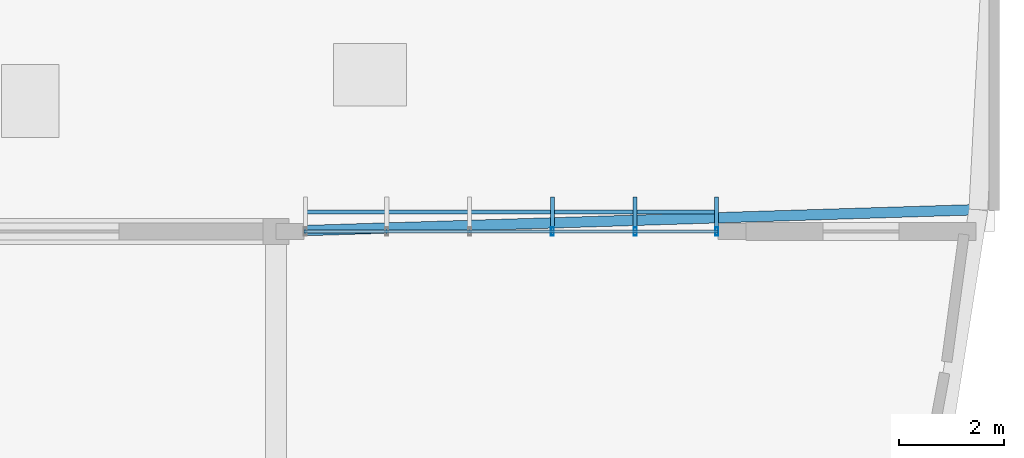
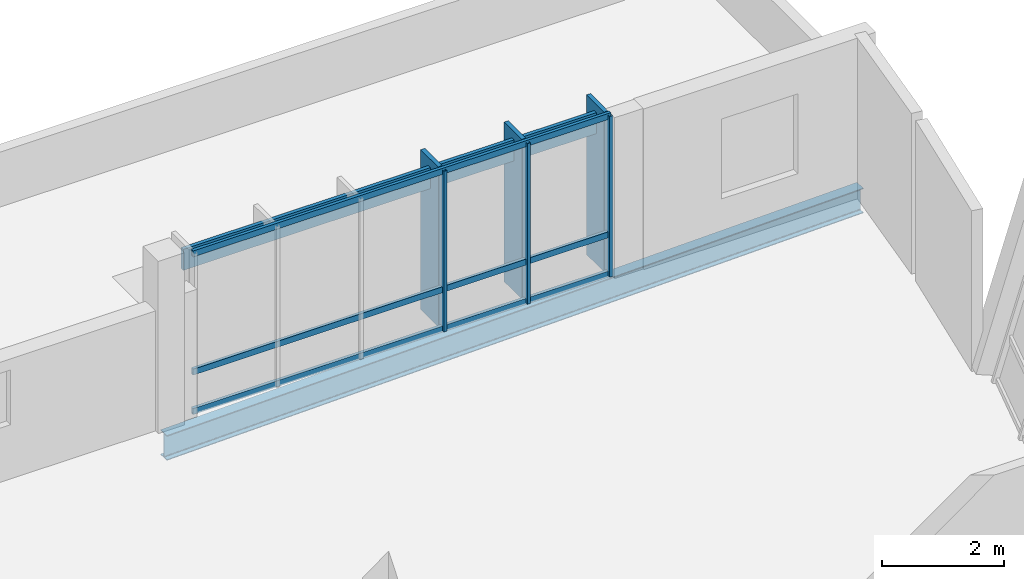
# One storey, part 16 of 24: 10 members, 1 beam, 1 element without a shape of its own.
"""IFC4 building model written with IfcOpenShell, lengths in metres."""

from ifc_helpers import new_model, si_unit, direction, frame, origin, origin_2d, place, context, subcontext, project, spatial, rectangle, hollow_rectangle, i_section, extrude, material, material_profile, profile_set, type_object, element, aggregate, save


model = new_model("IFC4")

# Units and contexts
model_context = context("Model", 3, precision=1e-05, world=origin(), true_north=direction((0.0, 1.0)))
body_context = subcontext(model_context, "Body", "Model", "MODEL_VIEW")
ifc_project = project(units=[si_unit("LENGTHUNIT", "METRE"), si_unit("AREAUNIT", "SQUARE_METRE"), si_unit("VOLUMEUNIT", "CUBIC_METRE"), si_unit("PLANEANGLEUNIT", "RADIAN"), si_unit("MASSUNIT", "GRAM", prefix="KILO")], contexts=[model_context])

# Site, building, storey
site_placement = place(None, origin())
site = spatial("IfcSite", under=ifc_project, at=site_placement, CompositionType="ELEMENT")
building_placement = place(site_placement, origin())
building = spatial("IfcBuilding", under=site, at=building_placement, Name="Chiffa Square Polytechnic", CompositionType="ELEMENT")
storey_placement = place(building_placement, frame((0.0, 0.0, 26.39990234375)))
storey = spatial("IfcBuildingStorey", under=building, at=storey_placement, Name="L06", CompositionType="ELEMENT", Elevation=26.39990234375)

# Beam
ifc_material_1 = material(Name="Steel S355", Category="steel")
ifc_material_profile_1 = material_profile(ifc_material_1, i_section(OverallWidth=0.199951171875, OverallDepth=0.5, WebThickness=0.01025390625, FlangeThickness=0.01611328125, FilletRadius=0.02099609375, at=origin_2d()), Name="IPE 500")
ifc_profile_set_1 = profile_set([ifc_material_profile_1], Name="Steel S355")
beam_type = type_object("IfcBeamType", Name="BM-STL-IPE500", PredefinedType="BEAM", material=ifc_profile_set_1)
beam_placement = place(storey_placement, frame((179.64306640625, 51.41796875, -0.469970703125), z_axis=(-0.999517004534, -0.031076641515, 0.0), x_axis=(0.031076641515, -0.999517004534, 0.0)))
element("IfcBeam", 1, at=beam_placement, inside=storey, type_object=beam_type, Name="Prow radial tie girder BM-V1-RAD-L06-17", PredefinedType="BEAM", context=body_context, shape_type="SweptSolid", body=[
    extrude(i_section(OverallWidth=0.199951171875, OverallDepth=0.5, WebThickness=0.01025390625, FlangeThickness=0.01611328125, FilletRadius=0.02099609375, at=origin_2d()), origin(), (0.0, 0.0, 1.0), 13.44970703125),
])

# Curtain wall, members
ifc_material_2 = material(Name="Aluminium EN AW-6060 T66 and glulam shading", Category="wood")
curtain_wall_type = type_object("IfcCurtainWallType", Name="CW-VERT-480X380", PredefinedType="USERDEFINED", material=ifc_material_2)
curtain_wall_placement = place(storey_placement, origin())
curtain_wall = element("IfcCurtainWall", 2, at=curtain_wall_placement, inside=storey, type_object=curtain_wall_type, Name="Curtain wall CW-V1-L06-142", ObjectType="CURTAIN WALL", PredefinedType="USERDEFINED")
ifc_material_3 = material(Name="Aluminium EN AW-6060 T66", Category="aluminium")
ifc_material_profile_2 = material_profile(ifc_material_3, hollow_rectangle(XDim=0.06005859375, YDim=0.159912109375, WallThickness=0.00390625, at=origin_2d()), Name="ALU 60x160x4")
ifc_profile_set_2 = profile_set([ifc_material_profile_2], Name="Aluminium EN AW-6060 T66")
member_type_1 = type_object("IfcMemberType", Name="CWM-ALU-65X150", PredefinedType="MULLION", material=ifc_profile_set_2)
member_1_placement = place(storey_placement, frame((174.635009765625, 51.0, 0.0), z_axis=(0.0, 0.0, 1.0), x_axis=(1.0, 0.0, 0.0)))
member_1 = element("IfcMember", 3, at=member_1_placement, type_object=member_type_1, Name="Curtain wall mullion CW-V1-L06-142-M00", PredefinedType="MULLION", context=body_context, shape_type="SweptSolid", body=[
    extrude(hollow_rectangle(XDim=0.06005859375, YDim=0.159912109375, WallThickness=0.00390625, at=origin_2d()), origin(), (0.0, 0.0, 1.0), 3.22021484375),
])
member_2_placement = place(storey_placement, frame((173.075927734375, 51.0, 0.0), z_axis=(0.0, 0.0, 1.0), x_axis=(1.0, 0.0, 0.0)))
member_2 = element("IfcMember", 4, at=member_2_placement, type_object=member_type_1, Name="Curtain wall mullion CW-V1-L06-142-M01", PredefinedType="MULLION", context=body_context, shape_type="SweptSolid", body=[
    extrude(hollow_rectangle(XDim=0.06005859375, YDim=0.159912109375, WallThickness=0.00390625, at=origin_2d()), origin(), (0.0, 0.0, 1.0), 3.22021484375),
])
member_3_placement = place(storey_placement, frame((171.491943359375, 51.0, 0.0), z_axis=(0.0, 0.0, 1.0), x_axis=(1.0, 0.0, 0.0)))
member_3 = element("IfcMember", 5, at=member_3_placement, type_object=member_type_1, Name="Curtain wall mullion CW-V1-L06-142-M02", PredefinedType="MULLION", context=body_context, shape_type="SweptSolid", body=[
    extrude(hollow_rectangle(XDim=0.06005859375, YDim=0.159912109375, WallThickness=0.00390625, at=origin_2d()), origin(), (0.0, 0.0, 1.0), 3.22021484375),
])
ifc_material_4 = material(Name="Glulam GL28h", Category="wood")
ifc_material_profile_3 = material_profile(ifc_material_4, rectangle(XDim=0.080078125, YDim=0.580078125, at=origin_2d()), Name="GL28h 80x580")
ifc_profile_set_3 = profile_set([ifc_material_profile_3], Name="Glulam GL28h")
member_type_2 = type_object("IfcMemberType", Name="CWM-GL-80X580", PredefinedType="MULLION", material=ifc_profile_set_3)
member_4_placement = place(storey_placement, frame((174.635009765625, 51.3720703125, 0.010009765625), z_axis=(0.0, 0.0, 1.0), x_axis=(-1.0, 0.0, 0.0)))
member_4 = element("IfcMember", 6, at=member_4_placement, type_object=member_type_2, Name="Exterior glulam solar fin CW-V1-L06-142-FN00", PredefinedType="MULLION", context=body_context, shape_type="SweptSolid", body=[
    extrude(rectangle(XDim=0.080078125, YDim=0.580078125, at=origin_2d()), origin(), (0.0, 0.0, 1.0), 3.2001953125),
])
member_5_placement = place(storey_placement, frame((173.075927734375, 51.3720703125, 0.010009765625), z_axis=(0.0, 0.0, 1.0), x_axis=(-1.0, 0.0, 0.0)))
member_5 = element("IfcMember", 7, at=member_5_placement, type_object=member_type_2, Name="Exterior glulam solar fin CW-V1-L06-142-FN01", PredefinedType="MULLION", context=body_context, shape_type="SweptSolid", body=[
    extrude(rectangle(XDim=0.080078125, YDim=0.580078125, at=origin_2d()), origin(), (0.0, 0.0, 1.0), 3.2001953125),
])
member_6_placement = place(storey_placement, frame((171.491943359375, 51.3720703125, 0.010009765625), z_axis=(0.0, 0.0, 1.0), x_axis=(-1.0, 0.0, 0.0)))
member_6 = element("IfcMember", 8, at=member_6_placement, type_object=member_type_2, Name="Exterior glulam solar fin CW-V1-L06-142-FN02", PredefinedType="MULLION", context=body_context, shape_type="SweptSolid", body=[
    extrude(rectangle(XDim=0.080078125, YDim=0.580078125, at=origin_2d()), origin(), (0.0, 0.0, 1.0), 3.2001953125),
])
ifc_material_profile_4 = material_profile(ifc_material_3, hollow_rectangle(XDim=0.06005859375, YDim=0.1201171875, WallThickness=0.00390625, at=origin_2d()), Name="ALU 60x120x4")
ifc_profile_set_4 = profile_set([ifc_material_profile_4], Name="Aluminium EN AW-6060 T66")
member_type_3 = type_object("IfcMemberType", Name="CWT-ALU-65X120", PredefinedType="USERDEFINED", material=ifc_profile_set_4)
member_7_placement = place(storey_placement, frame((174.662109375, 51.0, 0.030029296875), z_axis=(-1.0, 0.0, 0.0), x_axis=(0.0, -1.0, 0.0)))
member_7 = element("IfcMember", 9, at=member_7_placement, type_object=member_type_3, Name="Curtain wall transom CW-V1-L06-142-T01", ObjectType="TRANSOM", PredefinedType="USERDEFINED", context=body_context, shape_type="SweptSolid", body=[
    extrude(hollow_rectangle(XDim=0.06005859375, YDim=0.1201171875, WallThickness=0.00390625, at=origin_2d()), origin(), (0.0, 0.0, 1.0), 7.924072265625),
])
member_8_placement = place(storey_placement, frame((174.662109375, 51.0, 0.820068359375), z_axis=(-1.0, 0.0, 0.0), x_axis=(0.0, -1.0, 0.0)))
member_8 = element("IfcMember", 10, at=member_8_placement, type_object=member_type_3, Name="Curtain wall transom CW-V1-L06-142-T02", ObjectType="TRANSOM", PredefinedType="USERDEFINED", context=body_context, shape_type="SweptSolid", body=[
    extrude(hollow_rectangle(XDim=0.06005859375, YDim=0.1201171875, WallThickness=0.00390625, at=origin_2d()), origin(), (0.0, 0.0, 1.0), 7.924072265625),
])
member_9_placement = place(storey_placement, frame((174.662109375, 51.0, 3.190185546875), z_axis=(-1.0, 0.0, 0.0), x_axis=(0.0, -1.0, 0.0)))
member_9 = element("IfcMember", 11, at=member_9_placement, type_object=member_type_3, Name="Curtain wall transom CW-V1-L06-142-T03", ObjectType="TRANSOM", PredefinedType="USERDEFINED", context=body_context, shape_type="SweptSolid", body=[
    extrude(hollow_rectangle(XDim=0.06005859375, YDim=0.1201171875, WallThickness=0.00390625, at=origin_2d()), origin(), (0.0, 0.0, 1.0), 7.924072265625),
])
ifc_material_profile_5 = material_profile(ifc_material_4, rectangle(XDim=0.070068359375, YDim=0.419921875, at=origin_2d()), Name="GL28h 70x420")
ifc_profile_set_5 = profile_set([ifc_material_profile_5], Name="Glulam GL28h")
member_type_4 = type_object("IfcMemberType", Name="CWT-GL-70X420", PredefinedType="USERDEFINED", material=ifc_profile_set_5)
member_10_placement = place(storey_placement, frame((174.635009765625, 51.3720703125, 2.840087890625), z_axis=(-1.0, 0.0, 0.0), x_axis=(0.0, -1.0, 0.0)))
member_10 = element("IfcMember", 12, at=member_10_placement, type_object=member_type_4, Name="Exterior glulam brise-soleil CW-V1-L06-142-BS01", ObjectType="TRANSOM", PredefinedType="USERDEFINED", context=body_context, shape_type="SweptSolid", body=[
    extrude(rectangle(XDim=0.070068359375, YDim=0.419921875, at=origin_2d()), origin(), (0.0, 0.0, 1.0), 7.8701171875),
])
aggregate(curtain_wall, [member_1, member_4, member_2, member_5, member_3, member_6, member_7, member_8, member_9, member_10])

save(model, "model.ifc")
